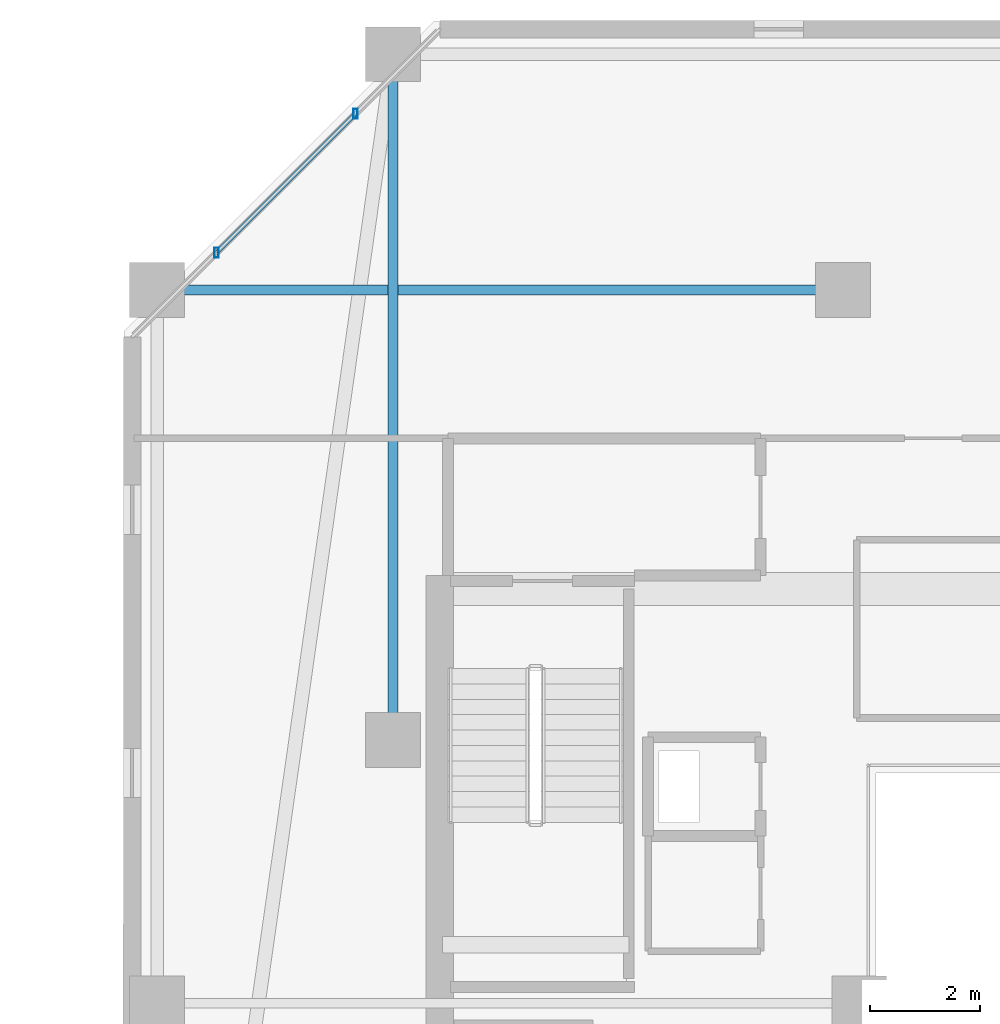
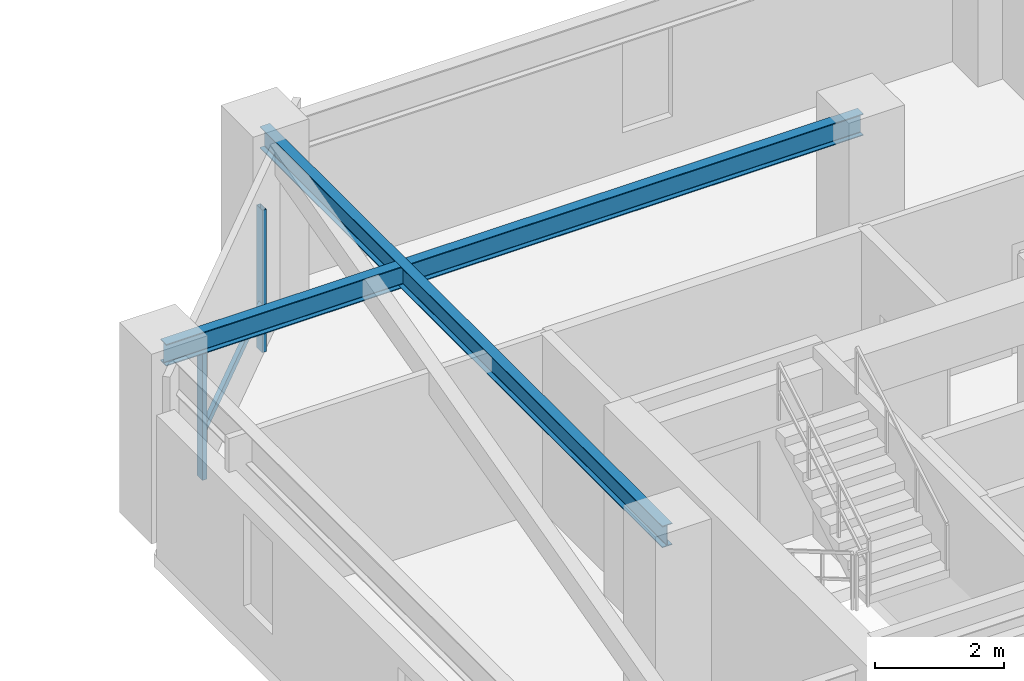
# One storey, part 14 of 31: 3 members, 2 beams, 1 element without a shape of its own.
"""IFC4 building model written with IfcOpenShell, lengths in metres."""

import ifcopenshell
import ifcopenshell.guid

model = None  # the IFC model being written
_history = None  # IfcOwnerHistory: only IFC2X3 demands one
_inside = {}  # id of a spatial element -> (the spatial element, [elements in it])
_under = {}  # id of a project, library or spatial element -> (it, [spatial elements below it])
_declared = {}  # id of a project -> (the project, [libraries it declares])
_typed = {}  # id of a type object -> (the type object, [elements of that type])
_made_of = {}  # id of a material, layer set ... -> (it, [elements and type objects made of it])


def new_model(schema):
    """Start an empty IFC model of exactly this schema.

    Asked for "IFC4X3", IfcOpenShell would pick the latest addendum, in which some entities
    have other attributes; the version numbers below select the first issue.
    IFC2X3 requires an IfcOwnerHistory on every rooted entity: one is made here for all.
    """
    global model, _history
    if schema == "IFC4X3":
        model = ifcopenshell.file(schema_version=(4, 3, 0, 0))
    else:
        model = ifcopenshell.file(schema=schema)
    _inside.clear()
    _under.clear()
    _declared.clear()
    _typed.clear()
    _made_of.clear()
    _history = None
    if model.schema == "IFC2X3":
        org = make("IfcOrganization", Name="unknown")
        user = make(
            "IfcPersonAndOrganization",
            ThePerson=make("IfcPerson", FamilyName="unknown"),
            TheOrganization=org,
        )
        app = make(
            "IfcApplication",
            ApplicationDeveloper=org,
            Version="unknown",
            ApplicationFullName="unknown",
            ApplicationIdentifier="unknown",
        )
        _history = make(
            "IfcOwnerHistory",
            OwningUser=user,
            OwningApplication=app,
            ChangeAction="ADDED",
            CreationDate=0,
        )
    return model


def make(cls, **values):
    """One entity of the class cls with the attributes given. An attribute that is None is left unset."""
    return model.create_entity(
        cls, **{name: value for name, value in values.items() if value is not None}
    )


def rooted(cls, **values):
    """An entity with a GlobalId (a new one), such as an element, a storey or a relation."""
    return make(cls, GlobalId=ifcopenshell.guid.new(), OwnerHistory=_history, **values)


def si_unit(unit_type, name, prefix=None):
    """IfcSIUnit, for example si_unit("LENGTHUNIT", "METRE", prefix="MILLI")."""
    return make("IfcSIUnit", UnitType=unit_type, Prefix=prefix, Name=name)


def assignment(units):
    """IfcUnitAssignment: the units of a project."""
    return None if units is None else make("IfcUnitAssignment", Units=units)


def point(xyz):
    """IfcCartesianPoint."""
    return None if xyz is None else make("IfcCartesianPoint", Coordinates=xyz)


def direction(xyz):
    """IfcDirection."""
    return None if xyz is None else make("IfcDirection", DirectionRatios=xyz)


def frame(location, z_axis=None, x_axis=None):
    """IfcAxis2Placement3D, a coordinate frame: its origin and axes. An axis left out is left unset."""
    return make(
        "IfcAxis2Placement3D",
        Location=point(location),
        Axis=direction(z_axis),
        RefDirection=direction(x_axis),
    )


def frame_2d(location, x_axis=None):
    """IfcAxis2Placement2D, a coordinate frame in the plane: its origin and x axis."""
    return make(
        "IfcAxis2Placement2D", Location=point(location), RefDirection=direction(x_axis)
    )


def origin():
    """The frame at (0, 0, 0) with its axes left unset."""
    return frame((0.0, 0.0, 0.0))


def origin_2d():
    """The frame at (0, 0) in the plane with its x axis left unset."""
    return frame_2d((0.0, 0.0))


def place(relative_to, where):
    """IfcLocalPlacement: puts the frame where relative to a parent placement (None: the world)."""
    return make(
        "IfcLocalPlacement", PlacementRelTo=relative_to, RelativePlacement=where
    )


def context(
    kind, dimensions, precision=None, world=None, true_north=None, identifier=None
):
    """IfcGeometricRepresentationContext, for example the 3D "Model" context."""
    return make(
        "IfcGeometricRepresentationContext",
        ContextIdentifier=identifier,
        ContextType=kind,
        CoordinateSpaceDimension=dimensions,
        Precision=precision,
        WorldCoordinateSystem=world,
        TrueNorth=true_north,
    )


def subcontext(parent, identifier, kind, view, scale=None):
    """IfcGeometricRepresentationSubContext, for example "Body" below "Model"."""
    return make(
        "IfcGeometricRepresentationSubContext",
        ContextIdentifier=identifier,
        ContextType=kind,
        ParentContext=parent,
        TargetScale=scale,
        TargetView=view,
    )


def project(units=None, contexts=None):
    """IfcProject with its units and contexts."""
    return rooted(
        "IfcProject",
        Name="project",
        RepresentationContexts=contexts,
        UnitsInContext=assignment(units),
    )


def spatial(cls, under=None, at=None, **own):
    """A site, building, storey or space (cls), placed at a placement, below another one or the project."""
    s = rooted(cls, ObjectPlacement=at, **own)
    if under is not None:
        _under.setdefault(under.id(), (under, []))[1].append(s)
    return s


def profile(cls, at=None, kind="AREA", **sizes):
    """A parametric profile (cls). Its sizes go by their IFC names, for example OverallWidth=200.0."""
    return make(cls, ProfileType=kind, Position=at, **sizes)


def hollow_rectangle(**sizes):
    """IfcRectangleHollowProfileDef."""
    return profile("IfcRectangleHollowProfileDef", **sizes)


def i_section(**sizes):
    """IfcIShapeProfileDef."""
    return profile("IfcIShapeProfileDef", **sizes)


def extrude(swept, where, along, depth):
    """IfcExtrudedAreaSolid: the profile swept, set in the frame where, extruded along a direction by depth."""
    return make(
        "IfcExtrudedAreaSolid",
        SweptArea=swept,
        Position=where,
        ExtrudedDirection=direction(along),
        Depth=depth,
    )


def shape(context_of_items, identifier, shape_type, items):
    """IfcShapeRepresentation: the items that make up one representation, for example the "Body"."""
    return make(
        "IfcShapeRepresentation",
        ContextOfItems=context_of_items,
        RepresentationIdentifier=identifier,
        RepresentationType=shape_type,
        Items=items,
    )


def material(Name=None, Category=None):
    """IfcMaterial."""
    return make("IfcMaterial", Name=Name, Category=Category)


def material_profile(
    of_material, cross_section, Name=None, Category=None, Priority=None
):
    """IfcMaterialProfile: a cross section and its material."""
    return make(
        "IfcMaterialProfile",
        Name=Name,
        Material=of_material,
        Profile=cross_section,
        Priority=Priority,
        Category=Category,
    )


def profile_set(profiles, Name=None, composite=None):
    """IfcMaterialProfileSet."""
    return make(
        "IfcMaterialProfileSet",
        Name=Name,
        MaterialProfiles=profiles,
        CompositeProfile=composite,
    )


def made_of(thing, what):
    """Note that an element or type object is made of a material, layer set ...; save() writes the relation."""
    if what is not None:
        _made_of.setdefault(what.id(), (what, []))[1].append(thing)
    return thing


def type_object(cls, material=None, **own):
    """A type object (cls), such as IfcWallType, which elements share."""
    return made_of(rooted(cls, **own), material)


def element(
    cls,
    number,
    at=None,
    inside=None,
    cuts=None,
    type_object=None,
    material=None,
    context=None,
    identifier="Body",
    shape_type=None,
    held_by="IfcProductDefinitionShape",
    body=None,
    shapes=None,
    **own,
):
    """One element of the class cls, such as IfcWall. Its Tag is "e" and its number.

    at: its placement. inside: the storey or other place that contains it. cuts: it is an
    opening in that element (IfcRelVoidsElement). A single representation is given by context,
    identifier, shape_type and body (its items); several are given by shapes. held_by: the class
    of the entity that holds the representations. save() writes the other relations.
    """
    e = rooted(cls, Tag="e%d" % number, ObjectPlacement=at, **own)
    if body is not None:
        shapes = [shape(context, identifier, shape_type, body)]
    if shapes is not None:
        e.Representation = make(held_by, Representations=shapes)
    if inside is not None:
        _inside.setdefault(inside.id(), (inside, []))[1].append(e)
    if cuts is not None:
        rooted(
            "IfcRelVoidsElement", RelatingBuildingElement=cuts, RelatedOpeningElement=e
        )
    if type_object is not None:
        _typed.setdefault(type_object.id(), (type_object, []))[1].append(e)
    return made_of(e, material)


def aggregate(whole, parts):
    """IfcRelAggregates: a whole, such as a stair, and the parts it consists of."""
    return rooted("IfcRelAggregates", RelatingObject=whole, RelatedObjects=parts)


def save(model, path):
    """Write the relations noted so far, then the file.

    IfcRelAggregates (storeys below a building ...), IfcRelContainedInSpatialStructure (elements
    in a storey), IfcRelDefinesByType, IfcRelAssociatesMaterial and IfcRelDeclares: one each for
    every whole, place, type object, material and project.
    """
    for whole, parts in _under.values():
        aggregate(whole, parts)
    for where, things in _inside.values():
        rooted(
            "IfcRelContainedInSpatialStructure",
            RelatedElements=things,
            RelatingStructure=where,
        )
    for kind, things in _typed.values():
        rooted("IfcRelDefinesByType", RelatedObjects=things, RelatingType=kind)
    for what, things in _made_of.values():
        rooted("IfcRelAssociatesMaterial", RelatedObjects=things, RelatingMaterial=what)
    for by, libraries in _declared.values():
        rooted("IfcRelDeclares", RelatingContext=by, RelatedDefinitions=libraries)
    model.write(path)


model = new_model("IFC4")

# Units and contexts
model_context = context("Model", 3, precision=1e-05, world=origin(), true_north=direction((0.0, 1.0)))
body_context = subcontext(model_context, "Body", "Model", "MODEL_VIEW")
ifc_project = project(units=[si_unit("LENGTHUNIT", "METRE"), si_unit("AREAUNIT", "SQUARE_METRE"), si_unit("VOLUMEUNIT", "CUBIC_METRE"), si_unit("PLANEANGLEUNIT", "RADIAN"), si_unit("MASSUNIT", "GRAM", prefix="KILO")], contexts=[model_context])

# Site, building, storey
site_placement = place(None, origin())
site = spatial("IfcSite", under=ifc_project, at=site_placement, CompositionType="ELEMENT")
building_placement = place(site_placement, origin())
building = spatial("IfcBuilding", under=site, at=building_placement, Name="Thornwick Lancets Civic Towers", CompositionType="ELEMENT")
storey_placement = place(building_placement, frame((0.0, 0.0, 236.699951171875)))
storey = spatial("IfcBuildingStorey", under=building, at=storey_placement, Name="L63", CompositionType="ELEMENT", Elevation=236.699951171875)

# Beams
ifc_material_1 = material(Name="Steel S355JR", Category="steel")
ifc_material_profile_1 = material_profile(ifc_material_1, i_section(OverallWidth=0.179443359375, OverallDepth=0.412841796875, WebThickness=0.009521484375, FlangeThickness=0.01611328125, FilletRadius=0.01025390625, at=origin_2d()), Name="UKB 406x178x74")
ifc_profile_set_1 = profile_set([ifc_material_profile_1], Name="Steel S355JR")
beam_type = type_object("IfcBeamType", Name="BM_JOIST_406_74", PredefinedType="JOIST", material=ifc_profile_set_1)
for number, where, z_axis, x_axis, name in (
    (1, (75.5, 31.800048828125, 3.153564453125), (0.0, 1.0, 0.0), (-1.0, 0.0, 0.0), "BM-RADIN-L63-B06"),
    (2, (83.699951171875, 40.0, 3.153564453125), (-1.0, 0.0, 0.0), (0.0, -1.0, 0.0), "BM-RADIN-L63-B09"),
):
    element("IfcBeam", number, at=place(storey_placement, frame(where, z_axis=z_axis, x_axis=x_axis)), inside=storey, type_object=beam_type, Name=name, PredefinedType="JOIST", context=body_context, shape_type="SweptSolid", body=[
        extrude(i_section(OverallWidth=0.179443359375, OverallDepth=0.412841796875, WebThickness=0.009521484375, FlangeThickness=0.01611328125, FilletRadius=0.01025390625, at=origin_2d()), origin(), (0.0, 0.0, 1.0), 12.5),
    ])

# Curtain wall, members
ifc_material_2 = material(Name="High-zone chamfered-corner unitised glass curtain wall", Category="glass")
curtain_wall_type = type_object("IfcCurtainWallType", Name="CW_SYS_05", PredefinedType="NOTDEFINED", material=ifc_material_2)
curtain_wall_placement = place(storey_placement, origin())
curtain_wall = element("IfcCurtainWall", 3, at=curtain_wall_placement, inside=storey, type_object=curtain_wall_type, Name="L63 Curtain Wall CW-L63-B-E5", PredefinedType="NOTDEFINED")
ifc_material_3 = material(Name="Thermally broken bronze aluminium S355", Category="steel")
ifc_material_profile_2 = material_profile(ifc_material_3, hollow_rectangle(XDim=0.074951171875, YDim=0.179931640625, WallThickness=0.006103515625, at=origin_2d()), Name="RHS 180x75x6")
ifc_profile_set_2 = profile_set([ifc_material_profile_2], Name="Thermally broken bronze aluminium S355")
member_type_1 = type_object("IfcMemberType", Name="CW_MUL_180", PredefinedType="MULLION", material=ifc_profile_set_2)
member_1_placement = place(storey_placement, frame((74.81494140625, 43.21728515625, 0.0), z_axis=(0.0, 0.0, 1.0), x_axis=(1.0, 0.0, 0.0)))
member_1 = element("IfcMember", 4, at=member_1_placement, type_object=member_type_1, Name="CW-L63-B-E5 Mullion 0", PredefinedType="MULLION", context=body_context, shape_type="SweptSolid", body=[
    extrude(hollow_rectangle(XDim=0.074951171875, YDim=0.179931640625, WallThickness=0.006103515625, at=origin_2d()), origin(), (0.0, 0.0, 1.0), 2.699951171875),
])
member_2_placement = place(storey_placement, frame((72.28271484375, 40.68505859375, 0.0), z_axis=(0.0, 0.0, 1.0), x_axis=(1.0, 0.0, 0.0)))
member_2 = element("IfcMember", 5, at=member_2_placement, type_object=member_type_1, Name="CW-L63-B-E5 Mullion 1", PredefinedType="MULLION", context=body_context, shape_type="SweptSolid", body=[
    extrude(hollow_rectangle(XDim=0.074951171875, YDim=0.179931640625, WallThickness=0.006103515625, at=origin_2d()), origin(), (0.0, 0.0, 1.0), 2.699951171875),
])
ifc_material_profile_3 = material_profile(ifc_material_3, hollow_rectangle(XDim=0.074951171875, YDim=0.14990234375, WallThickness=0.0048828125, at=origin_2d()), Name="RHS 150x75x5")
ifc_profile_set_3 = profile_set([ifc_material_profile_3], Name="Thermally broken bronze aluminium S355")
member_type_2 = type_object("IfcMemberType", Name="CW_TRN_150", PredefinedType="USERDEFINED", material=ifc_profile_set_3)
member_3_placement = place(storey_placement, frame((74.80078125, 43.203125, 0.85009765625), z_axis=(-0.707106781187, -0.707106781187, 0.0), x_axis=(0.707106781187, -0.707106781187, 0.0)))
member_3 = element("IfcMember", 6, at=member_3_placement, type_object=member_type_2, Name="CW-L63-B-E5 Transom 0", ObjectType="TRANSOM", PredefinedType="USERDEFINED", context=body_context, shape_type="SweptSolid", body=[
    extrude(hollow_rectangle(XDim=0.074951171875, YDim=0.14990234375, WallThickness=0.0048828125, at=origin_2d()), origin(), (0.0, 0.0, 1.0), 3.541015625),
])
aggregate(curtain_wall, [member_1, member_2, member_3])

save(model, "model.ifc")
